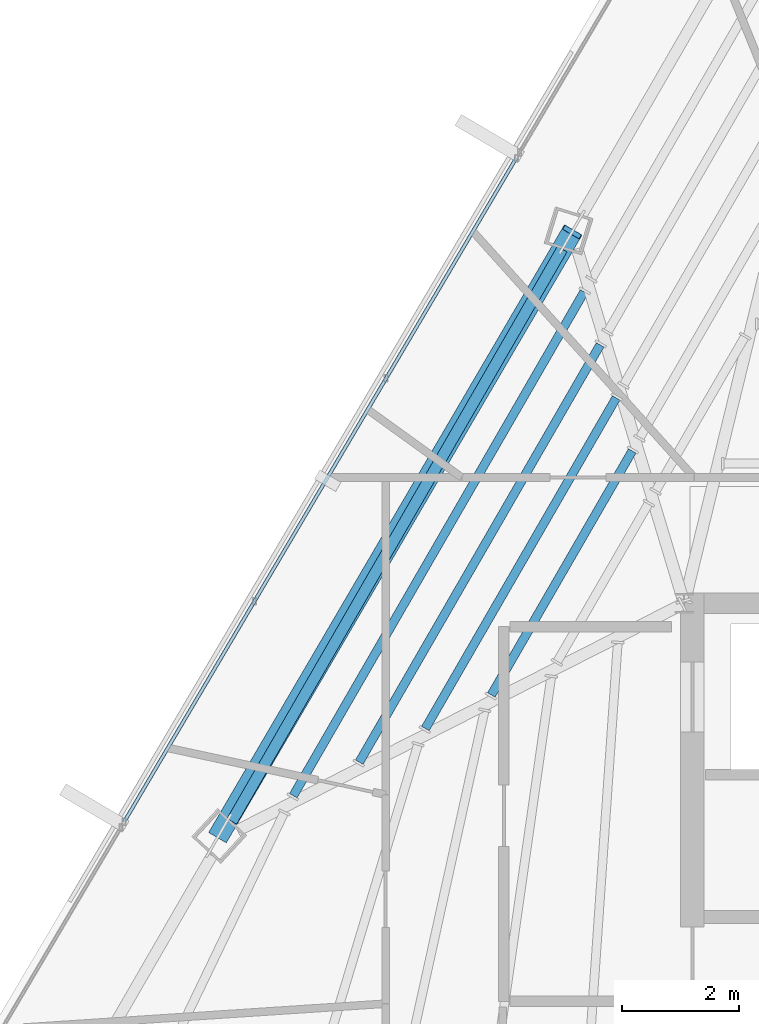
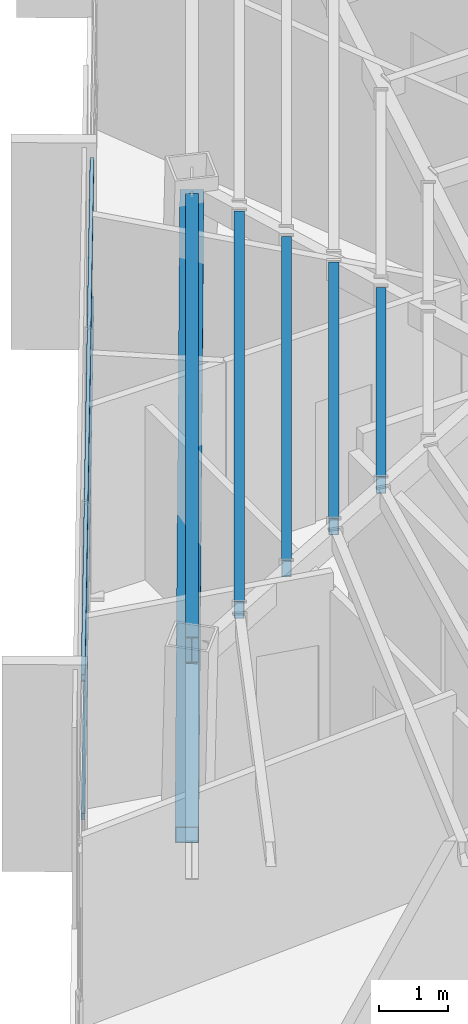
# One storey, part 16 of 48: 5 beams, 3 members, 1 element without a shape of its own.
"""IFC4 building model written with IfcOpenShell, lengths in metres."""

from ifc_helpers import new_model, si_unit, direction, frame, origin, origin_2d, place, context, subcontext, project, spatial, hollow_rectangle, i_section, extrude, source, transform, mapped, material, material_profile, profile_set, type_object, type_shapes, element, aggregate, save


model = new_model("IFC4")

# Units and contexts
model_context = context("Model", 3, precision=1e-05, world=origin(), true_north=direction((0.0, 1.0)))
body_context = subcontext(model_context, "Body", "Model", "MODEL_VIEW")
ifc_project = project(units=[si_unit("LENGTHUNIT", "METRE"), si_unit("AREAUNIT", "SQUARE_METRE"), si_unit("VOLUMEUNIT", "CUBIC_METRE"), si_unit("PLANEANGLEUNIT", "RADIAN"), si_unit("MASSUNIT", "GRAM", prefix="KILO")], contexts=[model_context])

# Site, building, storey
site_placement = place(None, origin())
site = spatial("IfcSite", under=ifc_project, at=site_placement, CompositionType="ELEMENT")
building_placement = place(site_placement, origin())
building = spatial("IfcBuilding", under=site, at=building_placement, Name="Caelisora Broadcast Tower", CompositionType="ELEMENT")
storey_placement = place(building_placement, frame((0.0, 0.0, 270.0)))
storey = spatial("IfcBuildingStorey", under=building, at=storey_placement, Name="L71", CompositionType="ELEMENT", Elevation=270.0)

# Beams
ifc_material_1 = material(Name="Steel Grade 350 (AS/NZS 3679.1)", Category="steel")
ifc_material_profile_1 = material_profile(ifc_material_1, i_section(OverallWidth=0.19091796875, OverallDepth=0.46044921875, WebThickness=0.010009765625, FlangeThickness=0.01611328125, at=origin_2d()), Name="Steel Grade 350 (AS/NZS 3679.1)")
ifc_profile_set_1 = profile_set([ifc_material_profile_1], Name="Steel Grade 350 (AS/NZS 3679.1)")
beam_type_1 = type_object("IfcBeamType", Name="PG06", PredefinedType="BEAM", material=ifc_profile_set_1)
shared_shape_1 = source(origin(), body_context, "Body", "SweptSolid", [
    extrude(i_section(OverallWidth=0.19091796875, OverallDepth=0.46044921875, WebThickness=0.010009765625, FlangeThickness=0.01611328125, at=origin_2d()), origin(), (0.0, 0.0, 1.0), 11.2880859375),
])
type_shapes(beam_type_1, [shared_shape_1])
beam_1_placement = place(storey_placement, frame((28.4150390625, 36.051025390625, 3.169921875), z_axis=(-0.500005156276, -0.866022426787, 0.0), x_axis=(0.866022426787, -0.500005156276, 0.0)))
element("IfcBeam", 1, at=beam_1_placement, inside=storey, type_object=beam_type_1, Name="L71 beam PG06", PredefinedType="BEAM", context=body_context, shape_type="MappedRepresentation", body=[
    mapped(shared_shape_1, transform((0.0, 0.0, 0.0), scale=1.0)),
])
ifc_material_2 = material(Name="Steel Grade 350 (AS/NZS 1163 C350L0)", Category="steel")
ifc_material_profile_2 = material_profile(ifc_material_2, hollow_rectangle(XDim=0.14990234375, YDim=0.300048828125, WallThickness=0.010009765625, at=origin_2d()), Name="Steel Grade 350 (AS/NZS 1163 C350L0)")
ifc_profile_set_2 = profile_set([ifc_material_profile_2], Name="Steel Grade 350 (AS/NZS 1163 C350L0)")
beam_type_2 = type_object("IfcBeamType", Name="SB05", PredefinedType="JOIST", material=ifc_profile_set_2)
shared_shape_2 = source(origin(), body_context, "Body", "SweptSolid", [
    extrude(hollow_rectangle(XDim=0.14990234375, YDim=0.300048828125, WallThickness=0.010009765625, at=origin_2d()), origin(), (0.0, 0.0, 1.0), 4.812744140625),
])
beam_2_placement = place(storey_placement, frame((29.61181640625, 32.6025390625, 3.25), z_axis=(-0.500018117281, -0.866014943515, 0.0), x_axis=(0.866014943515, -0.500018117281, 0.0)))
element("IfcBeam", 2, at=beam_2_placement, inside=storey, type_object=beam_type_2, Name="L71 beam SB05", PredefinedType="JOIST", context=body_context, shape_type="MappedRepresentation", body=[
    mapped(shared_shape_2, transform((0.0, 0.0, 0.0), scale=1.0)),
])
shared_shape_3 = source(origin(), body_context, "Body", "SweptSolid", [
    extrude(hollow_rectangle(XDim=0.14990234375, YDim=0.300048828125, WallThickness=0.010009765625, at=origin_2d()), origin(), (0.0, 0.0, 1.0), 6.521728515625),
])
beam_3_placement = place(storey_placement, frame((29.337890625, 33.5087890625, 3.25), z_axis=(-0.499971966783, -0.866041588165, 0.0), x_axis=(0.866041588165, -0.499971966783, 0.0)))
element("IfcBeam", 3, at=beam_3_placement, inside=storey, type_object=beam_type_2, Name="L71 beam SB05", PredefinedType="JOIST", context=body_context, shape_type="MappedRepresentation", body=[
    mapped(shared_shape_3, transform((0.0, 0.0, 0.0), scale=1.0)),
])
shared_shape_4 = source(origin(), body_context, "Body", "SweptSolid", [
    extrude(hollow_rectangle(XDim=0.14990234375, YDim=0.300048828125, WallThickness=0.010009765625, at=origin_2d()), origin(), (0.0, 0.0, 1.0), 8.231201171875),
])
beam_4_placement = place(storey_placement, frame((29.064208984375, 34.4150390625, 3.25), z_axis=(-0.499989474295, -0.866031480718, 0.0), x_axis=(0.866031480718, -0.499989474295, 0.0)))
element("IfcBeam", 4, at=beam_4_placement, inside=storey, type_object=beam_type_2, Name="L71 beam SB05", PredefinedType="JOIST", context=body_context, shape_type="MappedRepresentation", body=[
    mapped(shared_shape_4, transform((0.0, 0.0, 0.0), scale=1.0)),
])
shared_shape_5 = source(origin(), body_context, "Body", "SweptSolid", [
    extrude(hollow_rectangle(XDim=0.14990234375, YDim=0.300048828125, WallThickness=0.010009765625, at=origin_2d()), origin(), (0.0, 0.0, 1.0), 9.940185546875),
])
type_shapes(beam_type_2, [shared_shape_2, shared_shape_3, shared_shape_4, shared_shape_5])
beam_5_placement = place(storey_placement, frame((28.79052734375, 35.3212890625, 3.25), z_axis=(-0.49998254014, -0.866035484005, 0.0), x_axis=(0.866035484005, -0.49998254014, 0.0)))
element("IfcBeam", 5, at=beam_5_placement, inside=storey, type_object=beam_type_2, Name="L71 beam SB05", PredefinedType="JOIST", context=body_context, shape_type="MappedRepresentation", body=[
    mapped(shared_shape_5, transform((0.0, 0.0, 0.0), scale=1.0)),
])

# Member
ifc_material_3 = material(Name="Steel Grade 450 (AS/NZS 1163 C450L0)", Category="steel")
ifc_material_profile_3 = material_profile(ifc_material_3, hollow_rectangle(XDim=0.35009765625, YDim=0.35009765625, WallThickness=0.012451171875, at=origin_2d()), Name="Steel Grade 450 (AS/NZS 1163 C450L0)")
ifc_profile_set_3 = profile_set([ifc_material_profile_3], Name="Steel Grade 450 (AS/NZS 1163 C450L0)")
member_type_1 = type_object("IfcMemberType", Name="BR05", PredefinedType="BRACE", material=ifc_profile_set_3)
shared_shape_6 = source(origin(), body_context, "Body", "SweptSolid", [
    extrude(hollow_rectangle(XDim=0.35009765625, YDim=0.35009765625, WallThickness=0.012451171875, at=origin_2d()), origin(), (0.0, 0.0, 1.0), 12.318603515625),
])
type_shapes(member_type_1, [shared_shape_6])
member_1_placement = place(storey_placement, frame((28.583984375, 36.34375, 3.10009765625), z_axis=(-0.490017548345, -0.837003483084, -0.243532280447), x_axis=(0.862985568928, -0.50522856988, 0.0)))
element("IfcMember", 6, at=member_1_placement, inside=storey, type_object=member_type_1, Name="L71 perimeter brace BR05", PredefinedType="BRACE", context=body_context, shape_type="MappedRepresentation", body=[
    mapped(shared_shape_6, transform((0.0, 0.0, 0.0), scale=1.0)),
])

# Curtain wall, members
ifc_material_4 = material(Name="Unitised Aluminium Insulated Shadow-Box Spandrel Curtain Wall", Category="aluminium")
curtain_wall_type = type_object("IfcCurtainWallType", Name="CW-SP3", PredefinedType="NOTDEFINED", material=ifc_material_4)
curtain_wall_placement = place(storey_placement, origin())
curtain_wall = element("IfcCurtainWall", 7, at=curtain_wall_placement, inside=storey, type_object=curtain_wall_type, Name="L71 curtain wall CW-SP3", PredefinedType="NOTDEFINED")
ifc_material_5 = material(Name="Aluminium 6063-T6 Anodised Terracotta Bronze", Category="aluminium")
ifc_material_profile_4 = material_profile(ifc_material_5, hollow_rectangle(XDim=0.06005859375, YDim=0.1201171875, WallThickness=0.0029296875, at=origin_2d()), Name="Aluminium 6063-T6 Anodised Terracotta Bronze")
ifc_profile_set_4 = profile_set([ifc_material_profile_4], Name="Aluminium 6063-T6 Anodised Terracotta Bronze")
member_type_2 = type_object("IfcMemberType", Name="CWT-03", PredefinedType="USERDEFINED", material=ifc_profile_set_4)
shared_shape_7 = source(origin(), body_context, "Body", "SweptSolid", [
    extrude(hollow_rectangle(XDim=0.06005859375, YDim=0.1201171875, WallThickness=0.0029296875, at=origin_2d()), origin(), (0.0, 0.0, 1.0), 13.1708984375),
])
type_shapes(member_type_2, [shared_shape_7])
member_2_placement = place(storey_placement, frame((20.9326171875, 26.266845703125, 0.85009765625), z_axis=(0.508568180197, 0.861021722195, 0.0), x_axis=(-0.861021722195, 0.508568180197, 0.0)))
member_2 = element("IfcMember", 8, at=member_2_placement, type_object=member_type_2, Name="L71-CW-B10 transom #1", ObjectType="TRANSOM", PredefinedType="USERDEFINED", context=body_context, shape_type="MappedRepresentation", body=[
    mapped(shared_shape_7, transform((0.0, 0.0, 0.0), scale=1.0)),
])
member_3_placement = place(storey_placement, frame((20.9326171875, 26.266845703125, 3.320068359375), z_axis=(0.508568180197, 0.861021722195, 0.0), x_axis=(-0.861021722195, 0.508568180197, 0.0)))
member_3 = element("IfcMember", 9, at=member_3_placement, type_object=member_type_2, Name="L71-CW-B10 transom #2", ObjectType="TRANSOM", PredefinedType="USERDEFINED", context=body_context, shape_type="MappedRepresentation", body=[
    mapped(shared_shape_7, transform((0.0, 0.0, 0.0), scale=1.0)),
])
aggregate(curtain_wall, [member_2, member_3])

save(model, "model.ifc")
